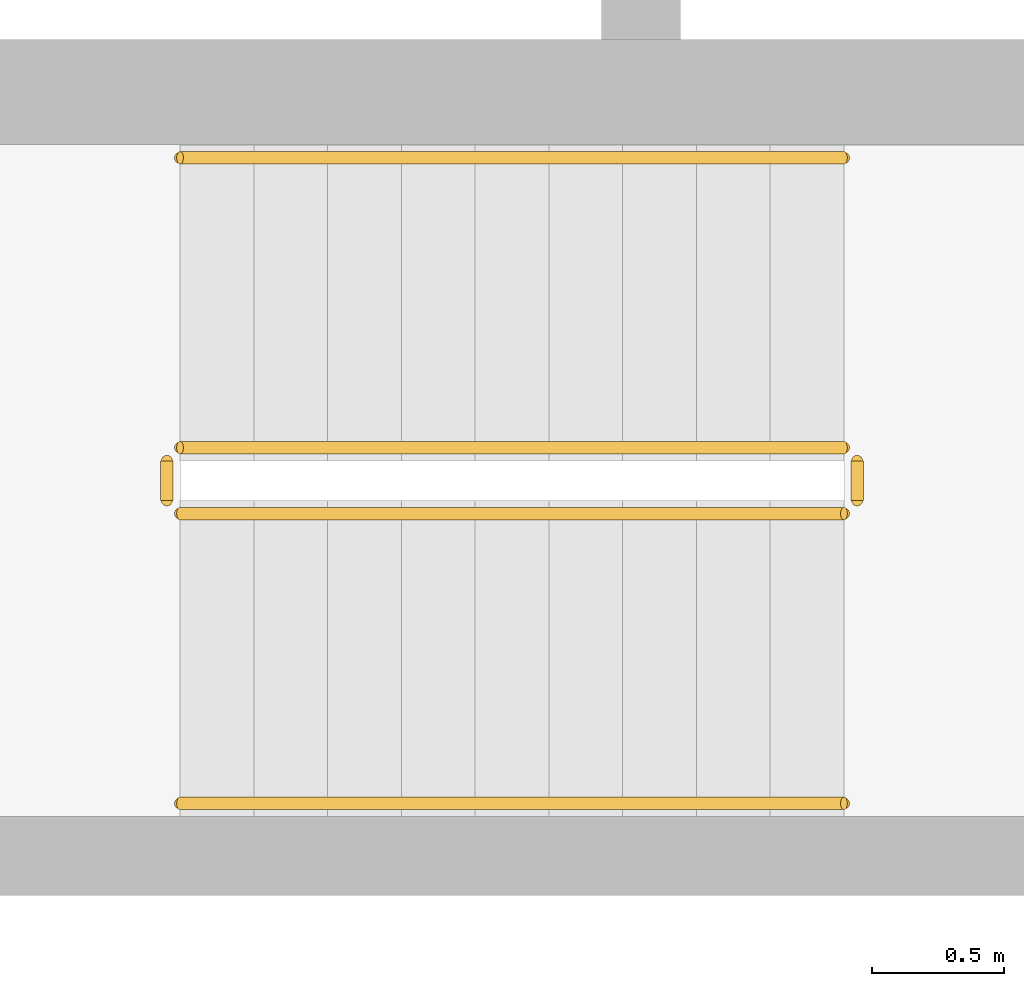
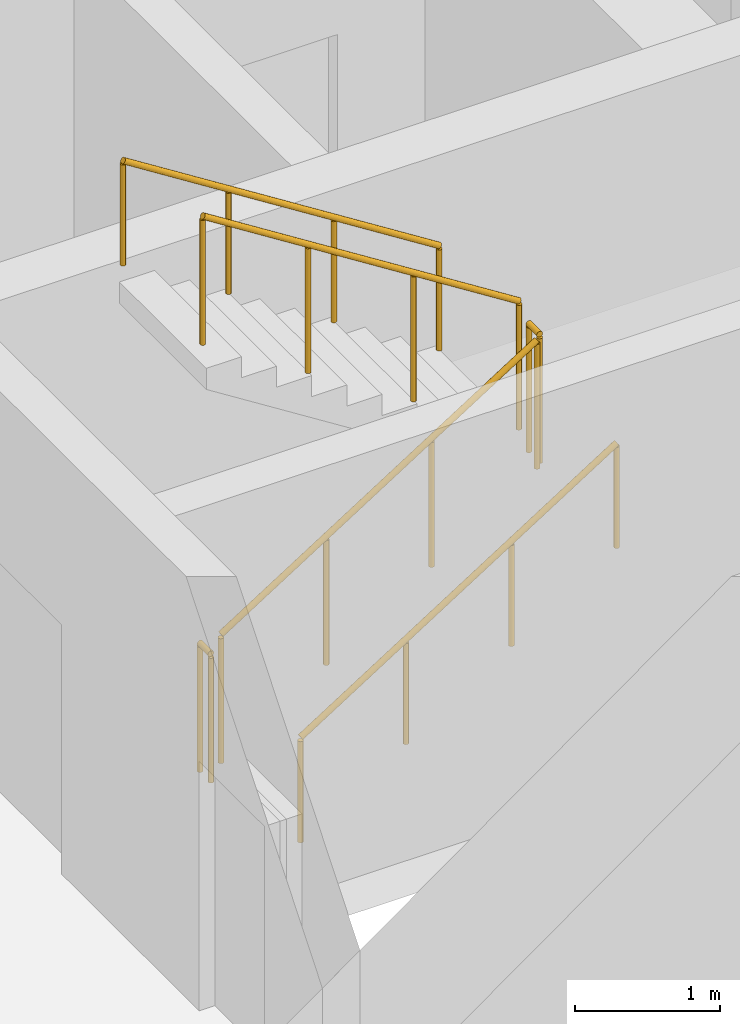
# One storey, part 13 of 15: 6 railings.
"""IFC4 building model written with IfcOpenShell, lengths in metres."""

from ifc_helpers import new_model, si_unit, direction, frame, origin, origin_2d, place, context, subcontext, project, spatial, circle, extrude, material, type_object, element, save


model = new_model("IFC4")

# Units and contexts
model_context = context("Model", 3, precision=1e-05, world=origin(), true_north=direction((0.0, 1.0)))
body_context = subcontext(model_context, "Body", "Model", "MODEL_VIEW")
ifc_project = project(units=[si_unit("LENGTHUNIT", "METRE"), si_unit("AREAUNIT", "SQUARE_METRE"), si_unit("VOLUMEUNIT", "CUBIC_METRE"), si_unit("PLANEANGLEUNIT", "RADIAN"), si_unit("MASSUNIT", "GRAM", prefix="KILO")], contexts=[model_context])

# Site, building, storey
site_placement = place(None, origin())
site = spatial("IfcSite", under=ifc_project, at=site_placement, CompositionType="ELEMENT")
building_placement = place(site_placement, origin())
building = spatial("IfcBuilding", under=site, at=building_placement, Name="Ostrand Prow Hotel Tower", CompositionType="ELEMENT")
storey_placement = place(building_placement, frame((0.0, 0.0, 235.0)))
storey = spatial("IfcBuildingStorey", under=building, at=storey_placement, Name="L59", CompositionType="ELEMENT", Elevation=235.0)

# Railings
ifc_material_1 = material(Name="Painted steel", Category="steel")
railing_type_1 = type_object("IfcRailingType", Name="Stair guard 1100", PredefinedType="GUARDRAIL", material=ifc_material_1)
railing_1_placement = place(storey_placement, frame((57.199951171875, -11.75, 0.177490234375)))
element("IfcRailing", 1, at=railing_1_placement, inside=storey, type_object=railing_type_1, Name="L59 ST2C stair guard 1", PredefinedType="GUARDRAIL", context=body_context, shape_type="SweptSolid", body=[
    extrude(circle(Radius=0.02392578125, at=origin_2d()), frame((0.0, 0.0, 1.076171875), z_axis=(0.84460694969, 0.0, 0.535386869969), x_axis=(0.0, 1.0, 0.0)), (0.0, 0.0, 1.0), 2.983642578125),
    extrude(circle(Radius=0.02099609375, at=origin_2d()), origin(), (0.0, 0.0, 1.0), 1.052001953125),
    extrude(circle(Radius=0.02099609375, at=origin_2d()), frame((0.840087890625, 0.0, 0.532470703125)), (0.0, 0.0, 1.0), 1.052001953125),
    extrude(circle(Radius=0.02099609375, at=origin_2d()), frame((1.679931640625, 0.0, 1.06494140625)), (0.0, 0.0, 1.0), 1.052001953125),
    extrude(circle(Radius=0.02099609375, at=origin_2d()), frame((2.52001953125, 0.0, 1.597412109375)), (0.0, 0.0, 1.0), 1.052001953125),
])
railing_2_placement = place(storey_placement, frame((59.77001953125, -11.699951171875, 1.77490234375)))
element("IfcRailing", 2, at=railing_2_placement, inside=storey, type_object=railing_type_1, Name="L59 ST2C stair guard 2", PredefinedType="GUARDRAIL", context=body_context, shape_type="SweptSolid", body=[
    extrude(circle(Radius=0.02392578125, at=origin_2d()), frame((0.0, 0.0, 1.076171875), z_axis=(0.0, 1.0, 0.0), x_axis=(-1.0, 0.0, 0.0)), (0.0, 0.0, 1.0), 0.14990234375),
    extrude(circle(Radius=0.02099609375, at=origin_2d()), origin(), (0.0, 0.0, 1.0), 1.052001953125),
    extrude(circle(Radius=0.02099609375, at=origin_2d()), frame((0.0, 0.14990234375, 0.0)), (0.0, 0.0, 1.0), 1.052001953125),
])
railing_3_placement = place(storey_placement, frame((59.719970703125, -11.5, 1.952392578125)))
element("IfcRailing", 3, at=railing_3_placement, inside=storey, type_object=railing_type_1, Name="L59 ST2C stair guard 3", PredefinedType="GUARDRAIL", context=body_context, shape_type="SweptSolid", body=[
    extrude(circle(Radius=0.02392578125, at=origin_2d()), frame((0.0, 0.0, 1.076171875), z_axis=(-0.84456994832, 0.0, 0.535445237532), x_axis=(0.0, -1.0, 0.0)), (0.0, 0.0, 1.0), 2.98388671875),
    extrude(circle(Radius=0.02099609375, at=origin_2d()), origin(), (0.0, 0.0, 1.0), 1.052001953125),
    extrude(circle(Radius=0.02099609375, at=origin_2d()), frame((-0.840087890625, 0.0, 0.532470703125)), (0.0, 0.0, 1.0), 1.052001953125),
    extrude(circle(Radius=0.02099609375, at=origin_2d()), frame((-1.679931640625, 0.0, 1.065185546875)), (0.0, 0.0, 1.0), 1.052001953125),
    extrude(circle(Radius=0.02099609375, at=origin_2d()), frame((-2.52001953125, 0.0, 1.59765625)), (0.0, 0.0, 1.0), 1.052001953125),
])
railing_4_placement = place(storey_placement, frame((57.14990234375, -11.699951171875, 0.0)))
element("IfcRailing", 4, at=railing_4_placement, inside=storey, type_object=railing_type_1, Name="L59 ST2C stair guard 4", PredefinedType="GUARDRAIL", context=body_context, shape_type="SweptSolid", body=[
    extrude(circle(Radius=0.02392578125, at=origin_2d()), frame((0.0, 0.0, 1.076171875), z_axis=(0.0, 1.0, 0.0), x_axis=(-1.0, 0.0, 0.0)), (0.0, 0.0, 1.0), 0.14990234375),
    extrude(circle(Radius=0.02099609375, at=origin_2d()), origin(), (0.0, 0.0, 1.0), 1.052001953125),
    extrude(circle(Radius=0.02099609375, at=origin_2d()), frame((0.0, 0.14990234375, 0.0)), (0.0, 0.0, 1.0), 1.052001953125),
])
ifc_material_2 = material(Name="Stainless steel", Category="steel")
railing_type_2 = type_object("IfcRailingType", Name="Stair handrail 900", PredefinedType="HANDRAIL", material=ifc_material_2)
railing_5_placement = place(storey_placement, frame((57.199951171875, -12.85009765625, 0.177490234375)))
element("IfcRailing", 5, at=railing_5_placement, inside=storey, type_object=railing_type_2, Name="L59 ST2C stair handrail 1", PredefinedType="HANDRAIL", context=body_context, shape_type="SweptSolid", body=[
    extrude(circle(Radius=0.02392578125, at=origin_2d()), frame((0.0, 0.0, 0.8759765625), z_axis=(0.84460694969, 0.0, 0.535386869969), x_axis=(0.0, 1.0, 0.0)), (0.0, 0.0, 1.0), 2.983642578125),
    extrude(circle(Radius=0.02099609375, at=origin_2d()), origin(), (0.0, 0.0, 1.0), 0.851806640625),
    extrude(circle(Radius=0.02099609375, at=origin_2d()), frame((0.840087890625, 0.0, 0.532470703125)), (0.0, 0.0, 1.0), 0.851806640625),
    extrude(circle(Radius=0.02099609375, at=origin_2d()), frame((1.679931640625, 0.0, 1.06494140625)), (0.0, 0.0, 1.0), 0.851806640625),
    extrude(circle(Radius=0.02099609375, at=origin_2d()), frame((2.52001953125, 0.0, 1.597412109375)), (0.0, 0.0, 1.0), 0.851806640625),
])
railing_6_placement = place(storey_placement, frame((59.719970703125, -10.39990234375, 1.952392578125)))
element("IfcRailing", 6, at=railing_6_placement, inside=storey, type_object=railing_type_2, Name="L59 ST2C stair handrail 2", PredefinedType="HANDRAIL", context=body_context, shape_type="SweptSolid", body=[
    extrude(circle(Radius=0.02392578125, at=origin_2d()), frame((0.0, 0.0, 0.8759765625), z_axis=(-0.84456994832, 0.0, 0.535445237532), x_axis=(0.0, -1.0, 0.0)), (0.0, 0.0, 1.0), 2.98388671875),
    extrude(circle(Radius=0.02099609375, at=origin_2d()), origin(), (0.0, 0.0, 1.0), 0.851806640625),
    extrude(circle(Radius=0.02099609375, at=origin_2d()), frame((-0.840087890625, 0.0, 0.532470703125)), (0.0, 0.0, 1.0), 0.851806640625),
    extrude(circle(Radius=0.02099609375, at=origin_2d()), frame((-1.679931640625, 0.0, 1.065185546875)), (0.0, 0.0, 1.0), 0.851806640625),
    extrude(circle(Radius=0.02099609375, at=origin_2d()), frame((-2.52001953125, 0.0, 1.59765625)), (0.0, 0.0, 1.0), 0.851806640625),
])

save(model, "model.ifc")
